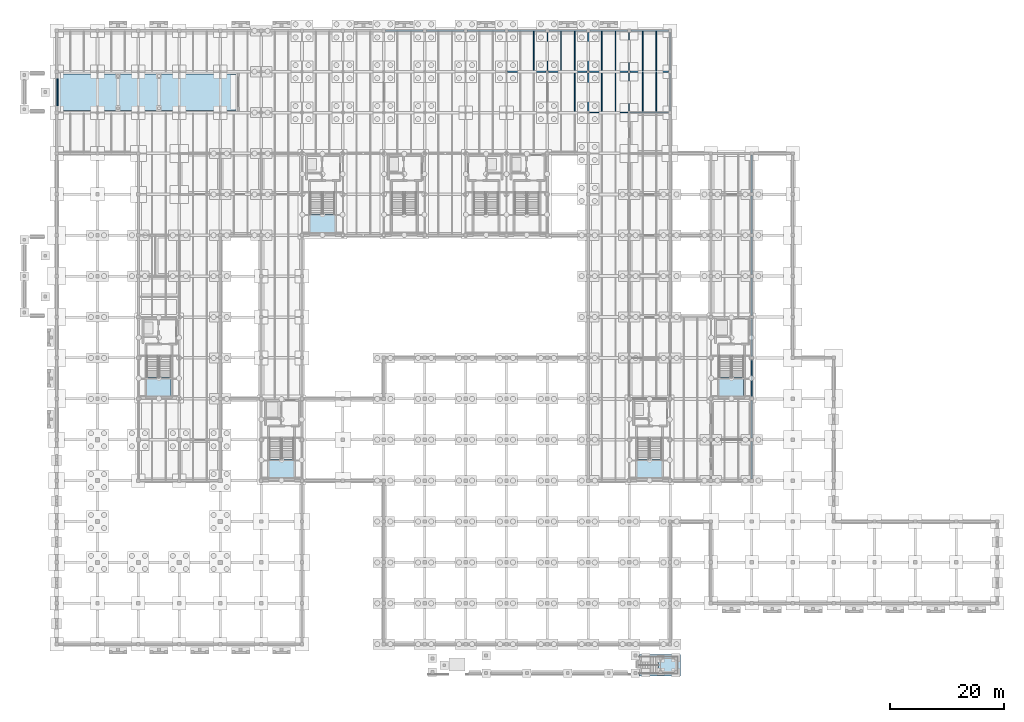
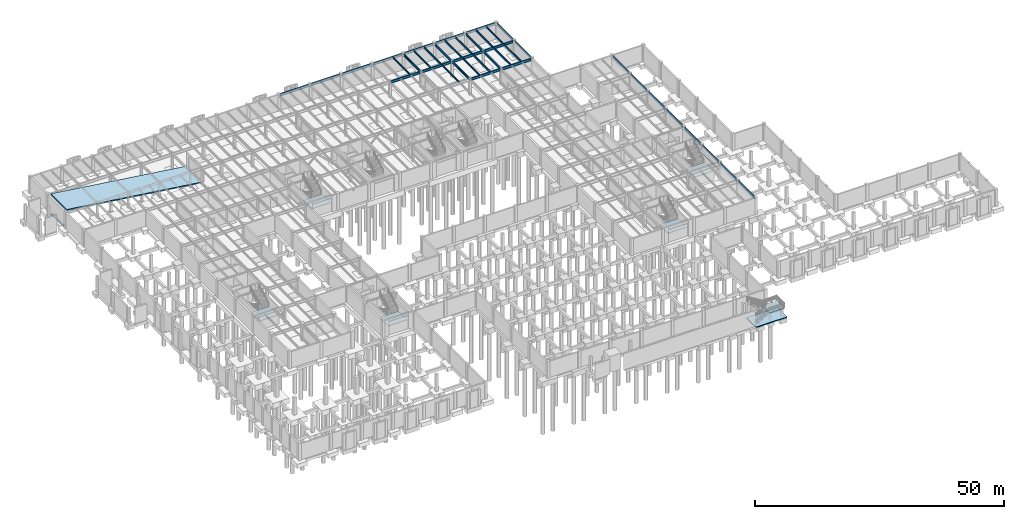
# One storey, part 28 of 46: 41 beams, 9 slabs, 6 elements without a shape of their own.
"""IFC4 building model written with IfcOpenShell, lengths in metres."""

from ifc_helpers import new_model, si_unit, direction, frame, origin, origin_2d, place, context, subcontext, project, spatial, polyline, i_section, outline, extrude, material, layer, layer_set, material_profile, profile_set, type_object, element, aggregate, save


model = new_model("IFC4")

# Units and contexts
model_context = context("Model", 3, precision=1e-05, world=origin(), true_north=direction((0.0, 1.0)))
body_context = subcontext(model_context, "Body", "Model", "MODEL_VIEW")
ifc_project = project(units=[si_unit("LENGTHUNIT", "METRE"), si_unit("AREAUNIT", "SQUARE_METRE"), si_unit("VOLUMEUNIT", "CUBIC_METRE"), si_unit("PLANEANGLEUNIT", "RADIAN"), si_unit("MASSUNIT", "GRAM", prefix="KILO")], contexts=[model_context])

# Site, building, storey
site_placement = place(None, origin())
site = spatial("IfcSite", under=ifc_project, at=site_placement, CompositionType="ELEMENT")
building_placement = place(site_placement, origin())
building = spatial("IfcBuilding", under=site, at=building_placement, Name="Sillqori Civic Hall", CompositionType="ELEMENT")
storey_placement = place(building_placement, frame((0.0, 0.0, -4.199951171875)))
storey = spatial("IfcBuildingStorey", under=building, at=storey_placement, Name="B01", CompositionType="ELEMENT", Elevation=-4.199951171875)

# Beams
ifc_material_1 = material(Name="Steel ASTM A992", Category="steel")
ifc_material_profile_1 = material_profile(ifc_material_1, i_section(OverallWidth=0.2099609375, OverallDepth=0.532958984375, WebThickness=0.01025390625, FlangeThickness=0.015625, FilletRadius=0.013916015625, at=origin_2d()), Name="W21X62")
ifc_profile_set_1 = profile_set([ifc_material_profile_1], Name="Steel ASTM A992")
beam_type_1 = type_object("IfcBeamType", Name="BM-W21X62", PredefinedType="BEAM", material=ifc_profile_set_1)
beam_1_placement = place(storey_placement, frame((93.60009765625, 108.197021484375, 3.71337890625), z_axis=(0.0, 1.0, 0.0), x_axis=(-1.0, 0.0, 0.0)))
element("IfcBeam", 1, at=beam_1_placement, inside=storey, type_object=beam_type_1, Name="B01 girder Y 13-15", PredefinedType="BEAM", context=body_context, shape_type="SweptSolid", body=[
    extrude(i_section(OverallWidth=0.2099609375, OverallDepth=0.532958984375, WebThickness=0.01025390625, FlangeThickness=0.015625, FilletRadius=0.013916015625, at=origin_2d()), origin(), (0.0, 0.0, 1.0), 6.708984375),
])
beam_2_placement = place(storey_placement, frame((100.800048828125, 100.9970703125, 3.71337890625), z_axis=(0.0, 1.0, 0.0), x_axis=(-1.0, 0.0, 0.0)))
element("IfcBeam", 2, at=beam_2_placement, inside=storey, type_object=beam_type_1, Name="B01 girder Y 14-14", PredefinedType="BEAM", context=body_context, shape_type="SweptSolid", body=[
    extrude(i_section(OverallWidth=0.2099609375, OverallDepth=0.532958984375, WebThickness=0.01025390625, FlangeThickness=0.015625, FilletRadius=0.013916015625, at=origin_2d()), origin(), (0.0, 0.0, 1.0), 6.805908203125),
])
beam_3_placement = place(storey_placement, frame((100.800048828125, 108.197021484375, 3.71337890625), z_axis=(0.0, 1.0, 0.0), x_axis=(-1.0, 0.0, 0.0)))
element("IfcBeam", 3, at=beam_3_placement, inside=storey, type_object=beam_type_1, Name="B01 girder Y 14-15", PredefinedType="BEAM", context=body_context, shape_type="SweptSolid", body=[
    extrude(i_section(OverallWidth=0.2099609375, OverallDepth=0.532958984375, WebThickness=0.01025390625, FlangeThickness=0.015625, FilletRadius=0.013916015625, at=origin_2d()), origin(), (0.0, 0.0, 1.0), 6.708984375),
])
beam_4_placement = place(storey_placement, frame((108.0, 100.987060546875, 3.71337890625), z_axis=(0.0, 1.0, 0.0), x_axis=(-1.0, 0.0, 0.0)))
element("IfcBeam", 4, at=beam_4_placement, inside=storey, type_object=beam_type_1, Name="B01 girder Y 15-14", PredefinedType="BEAM", context=body_context, shape_type="SweptSolid", body=[
    extrude(i_section(OverallWidth=0.2099609375, OverallDepth=0.532958984375, WebThickness=0.01025390625, FlangeThickness=0.015625, FilletRadius=0.013916015625, at=origin_2d()), origin(), (0.0, 0.0, 1.0), 6.825927734375),
])
beam_5_placement = place(storey_placement, frame((108.0, 108.18701171875, 3.71337890625), z_axis=(0.0, 1.0, 0.0), x_axis=(-1.0, 0.0, 0.0)))
element("IfcBeam", 5, at=beam_5_placement, inside=storey, type_object=beam_type_1, Name="B01 girder Y 15-15", PredefinedType="BEAM", context=body_context, shape_type="SweptSolid", body=[
    extrude(i_section(OverallWidth=0.2099609375, OverallDepth=0.532958984375, WebThickness=0.01025390625, FlangeThickness=0.015625, FilletRadius=0.013916015625, at=origin_2d()), origin(), (0.0, 0.0, 1.0), 6.718994140625),
])
for number, where, z_axis, x_axis, name in (
    (6, (115.199951171875, 101.093994140625, 3.71337890625), (0.0, 1.0, 0.0), (-1.0, 0.0, 0.0), "B01 girder Y 16-14"),
    (7, (115.199951171875, 108.2939453125, 3.71337890625), (0.0, 1.0, 0.0), (-1.0, 0.0, 0.0), "B01 girder Y 16-15"),
    (8, (129.60009765625, 36.2939453125, 3.71337890625), (0.0, 1.0, 0.0), (-1.0, 0.0, 0.0), "B01 girder Y 18-5"),
    (9, (129.60009765625, 43.493896484375, 3.71337890625), (0.0, 1.0, 0.0), (-1.0, 0.0, 0.0), "B01 girder Y 18-6"),
):
    element("IfcBeam", number, at=place(storey_placement, frame(where, z_axis=z_axis, x_axis=x_axis)), inside=storey, type_object=beam_type_1, Name=name, PredefinedType="BEAM", context=body_context, shape_type="SweptSolid", body=[
        extrude(i_section(OverallWidth=0.2099609375, OverallDepth=0.532958984375, WebThickness=0.01025390625, FlangeThickness=0.015625, FilletRadius=0.013916015625, at=origin_2d()), origin(), (0.0, 0.0, 1.0), 6.612060546875),
    ])
beam_6_placement = place(storey_placement, frame((129.60009765625, 50.694091796875, 3.71337890625), z_axis=(0.0, 1.0, 0.0), x_axis=(-1.0, 0.0, 0.0)))
element("IfcBeam", 10, at=beam_6_placement, inside=storey, type_object=beam_type_1, Name="B01 girder Y 18-7", PredefinedType="BEAM", context=body_context, shape_type="SweptSolid", body=[
    extrude(i_section(OverallWidth=0.2099609375, OverallDepth=0.532958984375, WebThickness=0.01025390625, FlangeThickness=0.015625, FilletRadius=0.013916015625, at=origin_2d()), origin(), (0.0, 0.0, 1.0), 6.61181640625),
])
for number, where, z_axis, x_axis, name in (
    (11, (129.60009765625, 57.89404296875, 3.71337890625), (0.0, 1.0, 0.0), (-1.0, 0.0, 0.0), "B01 girder Y 18-8"),
    (12, (129.60009765625, 65.093994140625, 3.71337890625), (0.0, 1.0, 0.0), (-1.0, 0.0, 0.0), "B01 girder Y 18-9"),
    (13, (129.60009765625, 72.2939453125, 3.71337890625), (0.0, 1.0, 0.0), (-1.0, 0.0, 0.0), "B01 girder Y 18-10"),
    (14, (129.60009765625, 79.493896484375, 3.71337890625), (0.0, 1.0, 0.0), (-1.0, 0.0, 0.0), "B01 girder Y 18-11"),
):
    element("IfcBeam", number, at=place(storey_placement, frame(where, z_axis=z_axis, x_axis=x_axis)), inside=storey, type_object=beam_type_1, Name=name, PredefinedType="BEAM", context=body_context, shape_type="SweptSolid", body=[
        extrude(i_section(OverallWidth=0.2099609375, OverallDepth=0.532958984375, WebThickness=0.01025390625, FlangeThickness=0.015625, FilletRadius=0.013916015625, at=origin_2d()), origin(), (0.0, 0.0, 1.0), 6.612060546875),
    ])
beam_7_placement = place(storey_placement, frame((129.60009765625, 86.694091796875, 3.71337890625), z_axis=(0.0, 1.0, 0.0), x_axis=(-1.0, 0.0, 0.0)))
element("IfcBeam", 15, at=beam_7_placement, inside=storey, type_object=beam_type_1, Name="B01 girder Y 18-12", PredefinedType="BEAM", context=body_context, shape_type="SweptSolid", body=[
    extrude(i_section(OverallWidth=0.2099609375, OverallDepth=0.532958984375, WebThickness=0.01025390625, FlangeThickness=0.015625, FilletRadius=0.013916015625, at=origin_2d()), origin(), (0.0, 0.0, 1.0), 6.61181640625),
])
ifc_material_profile_2 = material_profile(ifc_material_1, i_section(OverallWidth=0.22802734375, OverallDepth=0.60205078125, WebThickness=0.010498046875, FlangeThickness=0.014892578125, FilletRadius=0.014892578125, at=origin_2d()), Name="W24X68")
ifc_profile_set_2 = profile_set([ifc_material_profile_2], Name="Steel ASTM A992")
beam_type_2 = type_object("IfcBeamType", Name="BM-W24X68", PredefinedType="BEAM", material=ifc_profile_set_2)
for number, where, z_axis, x_axis, name in (
    (16, (65.093994140625, 115.199951171875, 3.678955078125), (1.0, 0.0, 0.0), (0.0, 1.0, 0.0), "B01 girder X 9-16"),
    (17, (72.2939453125, 115.199951171875, 3.678955078125), (1.0, 0.0, 0.0), (0.0, 1.0, 0.0), "B01 girder X 10-16"),
    (18, (79.493896484375, 115.199951171875, 3.678955078125), (1.0, 0.0, 0.0), (0.0, 1.0, 0.0), "B01 girder X 11-16"),
):
    element("IfcBeam", number, at=place(storey_placement, frame(where, z_axis=z_axis, x_axis=x_axis)), inside=storey, type_object=beam_type_2, Name=name, PredefinedType="BEAM", context=body_context, shape_type="SweptSolid", body=[
        extrude(i_section(OverallWidth=0.22802734375, OverallDepth=0.60205078125, WebThickness=0.010498046875, FlangeThickness=0.014892578125, FilletRadius=0.014892578125, at=origin_2d()), origin(), (0.0, 0.0, 1.0), 6.612060546875),
    ])
beam_8_placement = place(storey_placement, frame((86.595947265625, 108.0, 3.678955078125), z_axis=(1.0, 0.0, 0.0), x_axis=(0.0, 1.0, 0.0)))
element("IfcBeam", 19, at=beam_8_placement, inside=storey, type_object=beam_type_2, Name="B01 girder X 12-15", PredefinedType="BEAM", context=body_context, shape_type="SweptSolid", body=[
    extrude(i_section(OverallWidth=0.22802734375, OverallDepth=0.60205078125, WebThickness=0.010498046875, FlangeThickness=0.014892578125, FilletRadius=0.014892578125, at=origin_2d()), origin(), (0.0, 0.0, 1.0), 6.80810546875),
])
beam_9_placement = place(storey_placement, frame((86.694091796875, 115.199951171875, 3.678955078125), z_axis=(1.0, 0.0, 0.0), x_axis=(0.0, 1.0, 0.0)))
element("IfcBeam", 20, at=beam_9_placement, inside=storey, type_object=beam_type_2, Name="B01 girder X 12-16", PredefinedType="BEAM", context=body_context, shape_type="SweptSolid", body=[
    extrude(i_section(OverallWidth=0.22802734375, OverallDepth=0.60205078125, WebThickness=0.010498046875, FlangeThickness=0.014892578125, FilletRadius=0.014892578125, at=origin_2d()), origin(), (0.0, 0.0, 1.0), 6.61181640625),
])
beam_10_placement = place(storey_placement, frame((93.7958984375, 108.0, 3.678955078125), z_axis=(1.0, 0.0, 0.0), x_axis=(0.0, 1.0, 0.0)))
element("IfcBeam", 21, at=beam_10_placement, inside=storey, type_object=beam_type_2, Name="B01 girder X 13-15", PredefinedType="BEAM", context=body_context, shape_type="SweptSolid", body=[
    extrude(i_section(OverallWidth=0.22802734375, OverallDepth=0.60205078125, WebThickness=0.010498046875, FlangeThickness=0.014892578125, FilletRadius=0.014892578125, at=origin_2d()), origin(), (0.0, 0.0, 1.0), 6.80810546875),
])
beam_11_placement = place(storey_placement, frame((93.89404296875, 115.199951171875, 3.678955078125), z_axis=(1.0, 0.0, 0.0), x_axis=(0.0, 1.0, 0.0)))
element("IfcBeam", 22, at=beam_11_placement, inside=storey, type_object=beam_type_2, Name="B01 girder X 13-16", PredefinedType="BEAM", context=body_context, shape_type="SweptSolid", body=[
    extrude(i_section(OverallWidth=0.22802734375, OverallDepth=0.60205078125, WebThickness=0.010498046875, FlangeThickness=0.014892578125, FilletRadius=0.014892578125, at=origin_2d()), origin(), (0.0, 0.0, 1.0), 6.612060546875),
])
for number, where, z_axis, x_axis, name in (
    (23, (100.99609375, 100.800048828125, 3.678955078125), (1.0, 0.0, 0.0), (0.0, 1.0, 0.0), "B01 girder X 14-14"),
    (24, (100.99609375, 108.0, 3.678955078125), (1.0, 0.0, 0.0), (0.0, 1.0, 0.0), "B01 girder X 14-15"),
):
    element("IfcBeam", number, at=place(storey_placement, frame(where, z_axis=z_axis, x_axis=x_axis)), inside=storey, type_object=beam_type_2, Name=name, PredefinedType="BEAM", context=body_context, shape_type="SweptSolid", body=[
        extrude(i_section(OverallWidth=0.22802734375, OverallDepth=0.60205078125, WebThickness=0.010498046875, FlangeThickness=0.014892578125, FilletRadius=0.014892578125, at=origin_2d()), origin(), (0.0, 0.0, 1.0), 6.810302734375),
    ])
beam_12_placement = place(storey_placement, frame((101.093994140625, 115.199951171875, 3.678955078125), z_axis=(1.0, 0.0, 0.0), x_axis=(0.0, 1.0, 0.0)))
element("IfcBeam", 25, at=beam_12_placement, inside=storey, type_object=beam_type_2, Name="B01 girder X 14-16", PredefinedType="BEAM", context=body_context, shape_type="SweptSolid", body=[
    extrude(i_section(OverallWidth=0.22802734375, OverallDepth=0.60205078125, WebThickness=0.010498046875, FlangeThickness=0.014892578125, FilletRadius=0.014892578125, at=origin_2d()), origin(), (0.0, 0.0, 1.0), 6.612060546875),
])
for number, where, z_axis, x_axis, name in (
    (26, (108.193603515625, 100.800048828125, 3.678955078125), (1.0, 0.0, 0.0), (0.0, 1.0, 0.0), "B01 girder X 15-14"),
    (27, (108.193603515625, 108.0, 3.678955078125), (1.0, 0.0, 0.0), (0.0, 1.0, 0.0), "B01 girder X 15-15"),
):
    element("IfcBeam", number, at=place(storey_placement, frame(where, z_axis=z_axis, x_axis=x_axis)), inside=storey, type_object=beam_type_2, Name=name, PredefinedType="BEAM", context=body_context, shape_type="SweptSolid", body=[
        extrude(i_section(OverallWidth=0.22802734375, OverallDepth=0.60205078125, WebThickness=0.010498046875, FlangeThickness=0.014892578125, FilletRadius=0.014892578125, at=origin_2d()), origin(), (0.0, 0.0, 1.0), 6.71240234375),
    ])
beam_13_placement = place(storey_placement, frame((108.2939453125, 115.199951171875, 3.678955078125), z_axis=(1.0, 0.0, 0.0), x_axis=(0.0, 1.0, 0.0)))
element("IfcBeam", 28, at=beam_13_placement, inside=storey, type_object=beam_type_2, Name="B01 girder X 15-16", PredefinedType="BEAM", context=body_context, shape_type="SweptSolid", body=[
    extrude(i_section(OverallWidth=0.22802734375, OverallDepth=0.60205078125, WebThickness=0.010498046875, FlangeThickness=0.014892578125, FilletRadius=0.014892578125, at=origin_2d()), origin(), (0.0, 0.0, 1.0), 6.612060546875),
])
ifc_material_profile_3 = material_profile(ifc_material_1, i_section(OverallWidth=0.153076171875, OverallDepth=0.455078125, WebThickness=0.008056640625, FlangeThickness=0.01318359375, FilletRadius=0.012939453125, at=origin_2d()), Name="W18X40")
ifc_profile_set_3 = profile_set([ifc_material_profile_3], Name="Steel ASTM A992")
beam_type_3 = type_object("IfcBeamType", Name="JS-W18X40", PredefinedType="JOIST", material=ifc_profile_set_3)
for number, where, z_axis, x_axis, name in (
    (29, (91.199951171875, 108.094970703125, 3.75244140625), (0.0, 1.0, 0.0), (-1.0, 0.0, 0.0), "B01 composite joist 12-15.2"),
    (30, (98.39990234375, 100.89501953125, 3.75244140625), (0.0, 1.0, 0.0), (-1.0, 0.0, 0.0), "B01 composite joist 13-14.2"),
    (31, (96.0, 108.094970703125, 3.75244140625), (0.0, 1.0, 0.0), (-1.0, 0.0, 0.0), "B01 composite joist 13-15.1"),
    (32, (98.39990234375, 108.094970703125, 3.75244140625), (0.0, 1.0, 0.0), (-1.0, 0.0, 0.0), "B01 composite joist 13-15.2"),
    (33, (103.199951171875, 100.89501953125, 3.75244140625), (0.0, 1.0, 0.0), (-1.0, 0.0, 0.0), "B01 composite joist 14-14.1"),
    (34, (105.60009765625, 100.89501953125, 3.75244140625), (0.0, 1.0, 0.0), (-1.0, 0.0, 0.0), "B01 composite joist 14-14.2"),
    (35, (103.199951171875, 108.094970703125, 3.75244140625), (0.0, 1.0, 0.0), (-1.0, 0.0, 0.0), "B01 composite joist 14-15.1"),
    (36, (105.60009765625, 108.094970703125, 3.75244140625), (0.0, 1.0, 0.0), (-1.0, 0.0, 0.0), "B01 composite joist 14-15.2"),
    (37, (110.39990234375, 100.89501953125, 3.75244140625), (0.0, 1.0, 0.0), (-1.0, 0.0, 0.0), "B01 composite joist 15-14.1"),
    (38, (112.800048828125, 100.89501953125, 3.75244140625), (0.0, 1.0, 0.0), (-1.0, 0.0, 0.0), "B01 composite joist 15-14.2"),
    (39, (110.39990234375, 108.094970703125, 3.75244140625), (0.0, 1.0, 0.0), (-1.0, 0.0, 0.0), "B01 composite joist 15-15.1"),
    (40, (112.800048828125, 108.094970703125, 3.75244140625), (0.0, 1.0, 0.0), (-1.0, 0.0, 0.0), "B01 composite joist 15-15.2"),
):
    element("IfcBeam", number, at=place(storey_placement, frame(where, z_axis=z_axis, x_axis=x_axis)), inside=storey, type_object=beam_type_3, Name=name, PredefinedType="JOIST", context=body_context, shape_type="SweptSolid", body=[
        extrude(i_section(OverallWidth=0.153076171875, OverallDepth=0.455078125, WebThickness=0.008056640625, FlangeThickness=0.01318359375, FilletRadius=0.012939453125, at=origin_2d()), origin(), (0.0, 0.0, 1.0), 7.010009765625),
    ])
ifc_material_profile_4 = material_profile(ifc_material_1, i_section(OverallWidth=0.133056640625, OverallDepth=0.20703125, WebThickness=0.005859375, FlangeThickness=0.00830078125, FilletRadius=0.008056640625, at=origin_2d()), Name="W8X18")
ifc_profile_set_4 = profile_set([ifc_material_profile_4], Name="Steel ASTM A992")
beam_type_4 = type_object("IfcBeamType", Name="LN-W8X18", PredefinedType="LINTEL", material=ifc_profile_set_4)
beam_14_placement = place(storey_placement, frame((129.60009765625, 50.694091796875, 1.782470703125), z_axis=(0.0, 1.0, 0.0), x_axis=(-1.0, 0.0, 0.0)))
element("IfcBeam", 41, at=beam_14_placement, inside=storey, type_object=beam_type_4, Name="B01 grid 18 stair landing stringer 1", PredefinedType="LINTEL", context=body_context, shape_type="SweptSolid", body=[
    extrude(i_section(OverallWidth=0.133056640625, OverallDepth=0.20703125, WebThickness=0.005859375, FlangeThickness=0.00830078125, FilletRadius=0.008056640625, at=origin_2d()), origin(), (0.0, 0.0, 1.0), 6.61181640625),
])

# Slabs
ifc_material_2 = material(Name="Concrete C35/45 (H35)", Category="concrete")
ifc_layer_1 = layer(ifc_material_2, 0.219970703125)
ifc_layer_set_1 = layer_set([ifc_layer_1], Name="Concrete C35/45 (H35)")
slab_type_1 = type_object("IfcSlabType", Name="SLB-BASE-220", PredefinedType="BASESLAB", material=ifc_layer_set_1)
slab_1_placement = place(storey_placement, frame((0.0, 0.0, -0.219970703125)))
element("IfcSlab", 42, at=slab_1_placement, inside=storey, type_object=slab_type_1, Name="B01 structural base slab 2", PredefinedType="BASESLAB", context=body_context, shape_type="SweptSolid", body=[
    extrude(outline(polyline([(7.199951171875, 106.800048828125), (7.5, 106.800048828125), (7.5, 102.0), (7.199951171875, 102.0), (7.199951171875, 106.800048828125)])), origin(), (0.0, 0.0, 1.0), 0.219970703125),
])
slab_2_placement = place(storey_placement, frame((0.0, 0.0, -0.219970703125)))
element("IfcSlab", 43, at=slab_2_placement, inside=storey, type_object=slab_type_1, Name="Forecourt lower street stair arrival plaza", PredefinedType="BASESLAB", context=body_context, shape_type="SweptSolid", body=[
    extrude(outline(polyline([(109.800048828125, 1.60009765625), (117.0, 1.60009765625), (117.0, 5.39990234375), (109.800048828125, 5.39990234375), (109.800048828125, 1.60009765625)])), origin(), (0.0, 0.0, 1.0), 0.219970703125),
])

# Stair, slab
stair_type_1 = type_object("IfcStairType", Name="STR-CORE-01", PredefinedType="DOUBLE_RETURN_STAIR", material=ifc_material_2)
stair_1_placement = place(storey_placement, origin())
stair_1 = element("IfcStair", 44, at=stair_1_placement, inside=storey, type_object=stair_type_1, Name="B01 Core exit stair ST-01", PredefinedType="DOUBLE_RETURN_STAIR")
ifc_layer_2 = layer(ifc_material_2, 0.199951171875)
ifc_layer_set_2 = layer_set([ifc_layer_2], Name="Concrete C35/45 (H35)")
slab_type_2 = type_object("IfcSlabType", Name="SLB-LND-220", PredefinedType="LANDING", material=ifc_layer_set_2)
slab_3_placement = place(storey_placement, frame((0.0, 0.0, 1.89990234375)))
slab_3 = element("IfcSlab", 45, at=slab_3_placement, type_object=slab_type_2, Name="ST-01 landing 1", PredefinedType="LANDING", context=body_context, shape_type="SweptSolid", body=[
    extrude(outline(polyline([(44.625, 39.72998046875), (44.625, 36.31494140625), (48.97509765625, 36.31494140625), (48.97509765625, 39.72998046875), (44.625, 39.72998046875)])), origin(), (0.0, 0.0, 1.0), 0.199951171875),
])
aggregate(stair_1, [slab_3])

stair_type_2 = type_object("IfcStairType", Name="STR-CORE-02", PredefinedType="DOUBLE_RETURN_STAIR", material=ifc_material_2)
stair_2_placement = place(storey_placement, origin())
stair_2 = element("IfcStair", 46, at=stair_2_placement, inside=storey, type_object=stair_type_2, Name="B01 Core exit stair ST-02", PredefinedType="DOUBLE_RETURN_STAIR")
slab_4_placement = place(storey_placement, frame((0.0, 0.0, 1.89990234375)))
slab_4 = element("IfcSlab", 47, at=slab_4_placement, type_object=slab_type_2, Name="ST-02 landing 1", PredefinedType="LANDING", context=body_context, shape_type="SweptSolid", body=[
    extrude(outline(polyline([(123.824951171875, 54.1298828125), (123.824951171875, 50.715087890625), (128.175048828125, 50.715087890625), (128.175048828125, 54.1298828125), (123.824951171875, 54.1298828125)])), origin(), (0.0, 0.0, 1.0), 0.199951171875),
])
aggregate(stair_2, [slab_4])

stair_type_3 = type_object("IfcStairType", Name="STR-CORE-03", PredefinedType="DOUBLE_RETURN_STAIR", material=ifc_material_2)
stair_3_placement = place(storey_placement, origin())
stair_3 = element("IfcStair", 48, at=stair_3_placement, inside=storey, type_object=stair_type_3, Name="B01 Core exit stair ST-03", PredefinedType="DOUBLE_RETURN_STAIR")
slab_5_placement = place(storey_placement, frame((0.0, 0.0, 1.89990234375)))
slab_5 = element("IfcSlab", 49, at=slab_5_placement, type_object=slab_type_2, Name="ST-03 landing 1", PredefinedType="LANDING", context=body_context, shape_type="SweptSolid", body=[
    extrude(outline(polyline([(109.425048828125, 39.72998046875), (109.425048828125, 36.31494140625), (113.77490234375, 36.31494140625), (113.77490234375, 39.72998046875), (109.425048828125, 39.72998046875)])), origin(), (0.0, 0.0, 1.0), 0.199951171875),
])
aggregate(stair_3, [slab_5])

stair_type_4 = type_object("IfcStairType", Name="STR-CORE-04", PredefinedType="DOUBLE_RETURN_STAIR", material=ifc_material_2)
stair_4_placement = place(storey_placement, origin())
stair_4 = element("IfcStair", 50, at=stair_4_placement, inside=storey, type_object=stair_type_4, Name="B01 Core exit stair ST-04", PredefinedType="DOUBLE_RETURN_STAIR")
slab_6_placement = place(storey_placement, frame((0.0, 0.0, 1.89990234375)))
slab_6 = element("IfcSlab", 51, at=slab_6_placement, type_object=slab_type_2, Name="ST-04 landing 1", PredefinedType="LANDING", context=body_context, shape_type="SweptSolid", body=[
    extrude(outline(polyline([(23.02490234375, 54.1298828125), (23.02490234375, 50.715087890625), (27.375, 50.715087890625), (27.375, 54.1298828125), (23.02490234375, 54.1298828125)])), origin(), (0.0, 0.0, 1.0), 0.199951171875),
])
aggregate(stair_4, [slab_6])

stair_type_5 = type_object("IfcStairType", Name="STR-CORE-05", PredefinedType="DOUBLE_RETURN_STAIR", material=ifc_material_2)
stair_5_placement = place(storey_placement, origin())
stair_5 = element("IfcStair", 52, at=stair_5_placement, inside=storey, type_object=stair_type_5, Name="B01 Core exit stair ST-05", PredefinedType="DOUBLE_RETURN_STAIR")
slab_7_placement = place(storey_placement, frame((0.0, 0.0, 1.89990234375)))
slab_7 = element("IfcSlab", 53, at=slab_7_placement, type_object=slab_type_2, Name="ST-05 landing 1", PredefinedType="LANDING", context=body_context, shape_type="SweptSolid", body=[
    extrude(outline(polyline([(51.824951171875, 82.929931640625), (51.824951171875, 79.514892578125), (56.175048828125, 79.514892578125), (56.175048828125, 82.929931640625), (51.824951171875, 82.929931640625)])), origin(), (0.0, 0.0, 1.0), 0.199951171875),
])
aggregate(stair_5, [slab_7])

ifc_material_3 = material(Name="Steel ASTM A992 and Honed Limestone Treads", Category="masonry")
stair_type_6 = type_object("IfcStairType", Name="STR-MON-420", PredefinedType="STRAIGHT_RUN_STAIR", material=ifc_material_3)
stair_6_placement = place(storey_placement, origin())
stair_6 = element("IfcStair", 54, at=stair_6_placement, inside=storey, type_object=stair_type_6, Name="Forecourt ceremonial exterior civic stair", PredefinedType="STRAIGHT_RUN_STAIR")
ifc_layer_3 = layer(ifc_material_2, 0.199951171875)
ifc_layer_set_3 = layer_set([ifc_layer_3], Name="Concrete C35/45 (H35)")
slab_type_3 = type_object("IfcSlabType", Name="SLB-MLND-200", PredefinedType="LANDING", material=ifc_layer_set_3)
slab_8_placement = place(storey_placement, frame((0.0, 0.0, 1.89990234375)))
slab_8 = element("IfcSlab", 55, at=slab_8_placement, type_object=slab_type_3, Name="MS-19 landing 1", PredefinedType="LANDING", context=body_context, shape_type="SweptSolid", body=[
    extrude(outline(polyline([(113.159912109375, 2.0), (116.60009765625, 2.0), (116.60009765625, 5.0), (113.159912109375, 5.0), (113.159912109375, 2.0)])), origin(), (0.0, 0.0, 1.0), 0.199951171875),
])
aggregate(stair_6, [slab_8])

# Slab
ifc_layer_4 = layer(ifc_material_2, 0.280029296875)
ifc_layer_set_4 = layer_set([ifc_layer_4], Name="Concrete C35/45 (H35)")
slab_type_4 = type_object("IfcSlabType", Name="SLB-RAMP-280", PredefinedType="FLOOR", material=ifc_layer_set_4)
slab_9_placement = place(storey_placement, frame((7.60009765625, 101.199951171875, 4.199951171875), z_axis=(0.133410693805, 0.0, 0.99106083909), x_axis=(0.99106083909, 0.0, -0.133410693805)))
element("IfcSlab", 56, at=slab_9_placement, inside=storey, type_object=slab_type_4, Name="Vehicle ramp structural slab VR-01", PredefinedType="FLOOR", context=body_context, shape_type="SweptSolid", body=[
    extrude(outline(polyline([(0.0, 0.0), (31.481368187763355, 0.0), (31.481368187763355, 6.400146484375), (0.0, 6.400146484375), (0.0, 0.0)])), origin(), (0.0, 0.0, -1.0), 0.280029296875),
])

save(model, "model.ifc")
